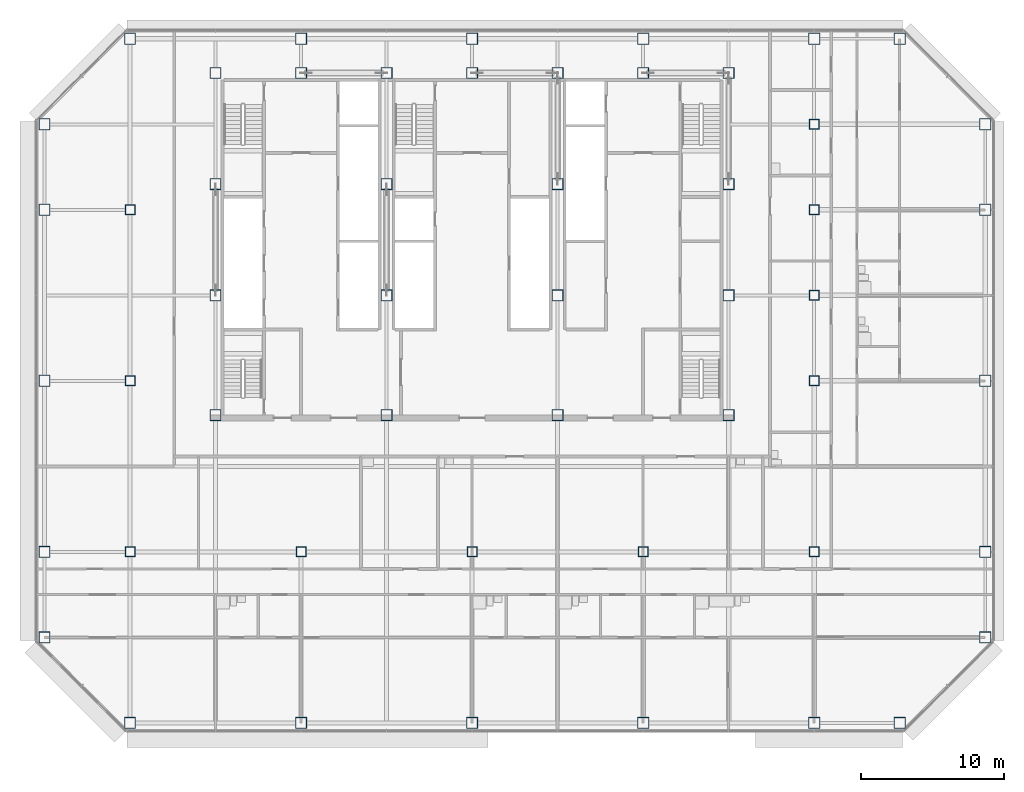
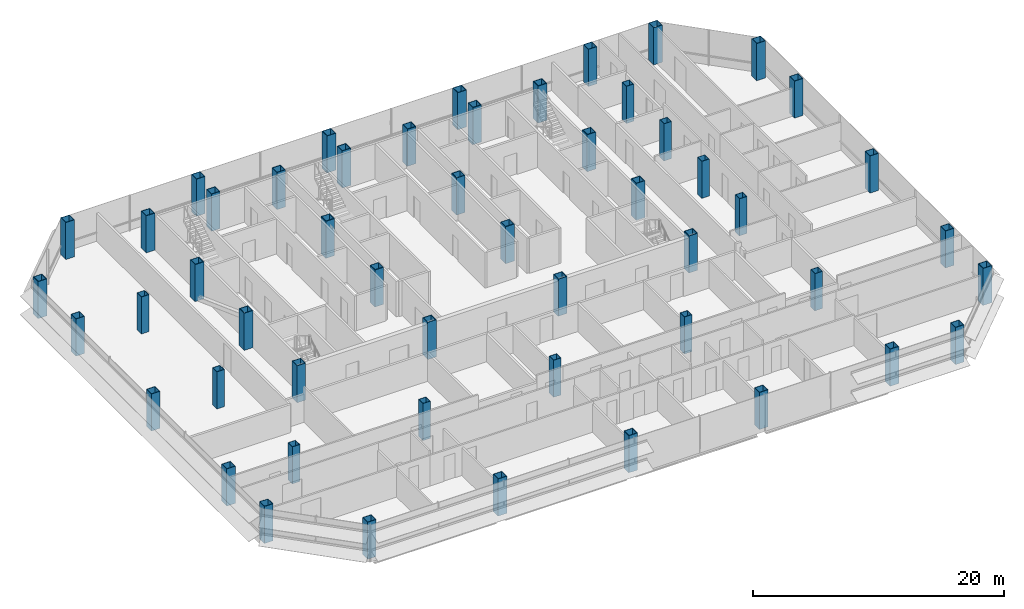
# One storey, part 1 of 25: 52 columns.
"""IFC4 building model written with IfcOpenShell, lengths in metres."""

from ifc_helpers import new_model, si_unit, direction, frame, origin, origin_2d, place, context, subcontext, project, spatial, hollow_rectangle, extrude, material, material_profile, profile_set, type_object, element, save


model = new_model("IFC4")

# Units and contexts
model_context = context("Model", 3, precision=1e-05, world=origin(), true_north=direction((0.0, 1.0)))
body_context = subcontext(model_context, "Body", "Model", "MODEL_VIEW")
ifc_project = project(units=[si_unit("LENGTHUNIT", "METRE"), si_unit("AREAUNIT", "SQUARE_METRE"), si_unit("VOLUMEUNIT", "CUBIC_METRE"), si_unit("PLANEANGLEUNIT", "RADIAN"), si_unit("MASSUNIT", "GRAM", prefix="KILO")], contexts=[model_context])

# Site, building, storey
site_placement = place(None, origin())
site = spatial("IfcSite", under=ifc_project, at=site_placement, CompositionType="ELEMENT")
building_placement = place(site_placement, origin())
building = spatial("IfcBuilding", under=site, at=building_placement, Name="Sorahane Residences", CompositionType="ELEMENT")
storey_placement = place(building_placement, frame((0.0, 0.0, 107.0)))
storey = spatial("IfcBuildingStorey", under=building, at=storey_placement, Name="L23", CompositionType="ELEMENT", Elevation=107.0)

# Columns
ifc_material_1 = material(Name="Steel Q355B", Category="steel")
ifc_material_profile_1 = material_profile(ifc_material_1, hollow_rectangle(XDim=0.699951171875, YDim=0.699951171875, WallThickness=0.035888671875, at=origin_2d()), Name="BOX 700x700x36")
ifc_profile_set_1 = profile_set([ifc_material_profile_1], Name="Steel Q355B")
column_type_1 = type_object("IfcColumnType", Name="Steel box column BOX 700x700x36 Q355B", PredefinedType="COLUMN", material=ifc_profile_set_1)
for number, where, z_axis, x_axis, name in (
    (1, (0.0, 12.0, 0.0), (0.0, 0.0, 1.0), (1.0, 0.0, 0.0), "Column L23 0/12"),
    (2, (0.0, 24.0, 0.0), (0.0, 0.0, 1.0), (1.0, 0.0, 0.0), "Column L23 0/24"),
    (3, (0.0, 36.0, 0.0), (0.0, 0.0, 1.0), (1.0, 0.0, 0.0), "Column L23 0/36"),
    (4, (12.0, 12.0, 0.0), (0.0, 0.0, 1.0), (1.0, 0.0, 0.0), "Column L23 12/12"),
    (5, (24.0, 12.0, 0.0), (0.0, 0.0, 1.0), (1.0, 0.0, 0.0), "Column L23 24/12"),
    (6, (36.0, 12.0, 0.0), (0.0, 0.0, 1.0), (1.0, 0.0, 0.0), "Column L23 36/12"),
    (7, (48.0, 12.0, 0.0), (0.0, 0.0, 1.0), (1.0, 0.0, 0.0), "Column L23 48/12"),
    (8, (48.0, 24.0, 0.0), (0.0, 0.0, 1.0), (1.0, 0.0, 0.0), "Column L23 48/24"),
    (9, (48.0, 30.0, 0.0), (0.0, 0.0, 1.0), (1.0, 0.0, 0.0), "Column L23 48/30"),
    (10, (48.0, 36.0, 0.0), (0.0, 0.0, 1.0), (1.0, 0.0, 0.0), "Column L23 48/36"),
    (11, (48.0, 42.0, 0.0), (0.0, 0.0, 1.0), (1.0, 0.0, 0.0), "Column L23 48/42"),
):
    element("IfcColumn", number, at=place(storey_placement, frame(where, z_axis=z_axis, x_axis=x_axis)), inside=storey, type_object=column_type_1, Name=name, PredefinedType="COLUMN", context=body_context, shape_type="SweptSolid", body=[
        extrude(hollow_rectangle(XDim=0.699951171875, YDim=0.699951171875, WallThickness=0.035888671875, at=origin_2d()), origin(), (0.0, 0.0, 1.0), 3.60009765625),
    ])
ifc_material_2 = material(Name="Steel Q355B", Category="steel")
ifc_material_profile_2 = material_profile(ifc_material_2, hollow_rectangle(XDim=0.800048828125, YDim=0.800048828125, WallThickness=0.0400390625, at=origin_2d()), Name="BOX 800x800x40")
ifc_profile_set_2 = profile_set([ifc_material_profile_2], Name="Steel Q355B")
column_type_2 = type_object("IfcColumnType", Name="Steel box column BOX 800x800x40 Q355B", PredefinedType="COLUMN", material=ifc_profile_set_2)
for number, where, z_axis, x_axis, name in (
    (12, (-6.0, 6.0, 0.0), (0.0, 0.0, 1.0), (1.0, 0.0, 0.0), "Column L23 m6/6"),
    (13, (-6.0, 12.0, 0.0), (0.0, 0.0, 1.0), (1.0, 0.0, 0.0), "Column L23 m6/12"),
    (14, (-6.0, 24.0, 0.0), (0.0, 0.0, 1.0), (1.0, 0.0, 0.0), "Column L23 m6/24"),
    (15, (-6.0, 36.0, 0.0), (0.0, 0.0, 1.0), (1.0, 0.0, 0.0), "Column L23 m6/36"),
    (16, (-6.0, 42.0, 0.0), (0.0, 0.0, 1.0), (1.0, 0.0, 0.0), "Column L23 m6/42"),
    (17, (0.0, 0.0, 0.0), (0.0, 0.0, 1.0), (1.0, 0.0, 0.0), "Column L23 0/0"),
    (18, (0.0, 48.0, 0.0), (0.0, 0.0, 1.0), (1.0, 0.0, 0.0), "Column L23 0/48"),
    (19, (12.0, 0.0, 0.0), (0.0, 0.0, 1.0), (1.0, 0.0, 0.0), "Column L23 12/0"),
    (20, (12.0, 48.0, 0.0), (0.0, 0.0, 1.0), (1.0, 0.0, 0.0), "Column L23 12/48"),
    (21, (24.0, 0.0, 0.0), (0.0, 0.0, 1.0), (1.0, 0.0, 0.0), "Column L23 24/0"),
    (22, (24.0, 48.0, 0.0), (0.0, 0.0, 1.0), (1.0, 0.0, 0.0), "Column L23 24/48"),
    (23, (36.0, 0.0, 0.0), (0.0, 0.0, 1.0), (1.0, 0.0, 0.0), "Column L23 36/0"),
    (24, (36.0, 48.0, 0.0), (0.0, 0.0, 1.0), (1.0, 0.0, 0.0), "Column L23 36/48"),
    (25, (48.0, 0.0, 0.0), (0.0, 0.0, 1.0), (1.0, 0.0, 0.0), "Column L23 48/0"),
    (26, (48.0, 48.0, 0.0), (0.0, 0.0, 1.0), (1.0, 0.0, 0.0), "Column L23 48/48"),
    (27, (54.0, 0.0, 0.0), (0.0, 0.0, 1.0), (1.0, 0.0, 0.0), "Column L23 54/0"),
    (28, (54.0, 48.0, 0.0), (0.0, 0.0, 1.0), (1.0, 0.0, 0.0), "Column L23 54/48"),
    (29, (60.0, 6.0, 0.0), (0.0, 0.0, 1.0), (1.0, 0.0, 0.0), "Column L23 60/6"),
    (30, (60.0, 12.0, 0.0), (0.0, 0.0, 1.0), (1.0, 0.0, 0.0), "Column L23 60/12"),
    (31, (60.0, 24.0, 0.0), (0.0, 0.0, 1.0), (1.0, 0.0, 0.0), "Column L23 60/24"),
    (32, (60.0, 36.0, 0.0), (0.0, 0.0, 1.0), (1.0, 0.0, 0.0), "Column L23 60/36"),
    (33, (60.0, 42.0, 0.0), (0.0, 0.0, 1.0), (1.0, 0.0, 0.0), "Column L23 60/42"),
):
    element("IfcColumn", number, at=place(storey_placement, frame(where, z_axis=z_axis, x_axis=x_axis)), inside=storey, type_object=column_type_2, Name=name, PredefinedType="COLUMN", context=body_context, shape_type="SweptSolid", body=[
        extrude(hollow_rectangle(XDim=0.800048828125, YDim=0.800048828125, WallThickness=0.0400390625, at=origin_2d()), origin(), (0.0, 0.0, 1.0), 3.60009765625),
    ])
ifc_material_3 = material(Name="Steel Q420GJ", Category="steel")
ifc_material_profile_3 = material_profile(ifc_material_3, hollow_rectangle(XDim=0.800048828125, YDim=0.800048828125, WallThickness=0.050048828125, at=origin_2d()), Name="BOX 800x800x50")
ifc_profile_set_3 = profile_set([ifc_material_profile_3], Name="Steel Q420GJ")
column_type_3 = type_object("IfcColumnType", Name="Steel box column BOX 800x800x50 Q420GJ", PredefinedType="COLUMN", material=ifc_profile_set_3)
for number, where, z_axis, x_axis, name in (
    (34, (6.0, 21.60009765625, 0.0), (0.0, 0.0, 1.0), (1.0, 0.0, 0.0), "Column L23 6/21.6"),
    (35, (6.0, 30.0, 0.0), (0.0, 0.0, 1.0), (1.0, 0.0, 0.0), "Column L23 6/30"),
    (36, (6.0, 37.800048828125, 0.0), (0.0, 0.0, 1.0), (1.0, 0.0, 0.0), "Column L23 6/37.8"),
    (37, (6.0, 45.60009765625, 0.0), (0.0, 0.0, 1.0), (1.0, 0.0, 0.0), "Column L23 6/45.6"),
    (38, (12.0, 45.60009765625, 0.0), (0.0, 0.0, 1.0), (1.0, 0.0, 0.0), "Column L23 12/45.6"),
    (39, (18.0, 21.60009765625, 0.0), (0.0, 0.0, 1.0), (1.0, 0.0, 0.0), "Column L23 18/21.6"),
    (40, (18.0, 30.0, 0.0), (0.0, 0.0, 1.0), (1.0, 0.0, 0.0), "Column L23 18/30"),
    (41, (18.0, 37.800048828125, 0.0), (0.0, 0.0, 1.0), (1.0, 0.0, 0.0), "Column L23 18/37.8"),
    (42, (18.0, 45.60009765625, 0.0), (0.0, 0.0, 1.0), (1.0, 0.0, 0.0), "Column L23 18/45.6"),
    (43, (24.0, 45.60009765625, 0.0), (0.0, 0.0, 1.0), (1.0, 0.0, 0.0), "Column L23 24/45.6"),
    (44, (30.0, 21.60009765625, 0.0), (0.0, 0.0, 1.0), (1.0, 0.0, 0.0), "Column L23 30/21.6"),
    (45, (30.0, 30.0, 0.0), (0.0, 0.0, 1.0), (1.0, 0.0, 0.0), "Column L23 30/30"),
    (46, (30.0, 37.800048828125, 0.0), (0.0, 0.0, 1.0), (1.0, 0.0, 0.0), "Column L23 30/37.8"),
    (47, (30.0, 45.60009765625, 0.0), (0.0, 0.0, 1.0), (1.0, 0.0, 0.0), "Column L23 30/45.6"),
    (48, (36.0, 45.60009765625, 0.0), (0.0, 0.0, 1.0), (1.0, 0.0, 0.0), "Column L23 36/45.6"),
    (49, (42.0, 21.60009765625, 0.0), (0.0, 0.0, 1.0), (1.0, 0.0, 0.0), "Column L23 42/21.6"),
    (50, (42.0, 30.0, 0.0), (0.0, 0.0, 1.0), (1.0, 0.0, 0.0), "Column L23 42/30"),
    (51, (42.0, 37.800048828125, 0.0), (0.0, 0.0, 1.0), (1.0, 0.0, 0.0), "Column L23 42/37.8"),
    (52, (42.0, 45.60009765625, 0.0), (0.0, 0.0, 1.0), (1.0, 0.0, 0.0), "Column L23 42/45.6"),
):
    element("IfcColumn", number, at=place(storey_placement, frame(where, z_axis=z_axis, x_axis=x_axis)), inside=storey, type_object=column_type_3, Name=name, PredefinedType="COLUMN", context=body_context, shape_type="SweptSolid", body=[
        extrude(hollow_rectangle(XDim=0.800048828125, YDim=0.800048828125, WallThickness=0.050048828125, at=origin_2d()), origin(), (0.0, 0.0, 1.0), 3.60009765625),
    ])

save(model, "model.ifc")
